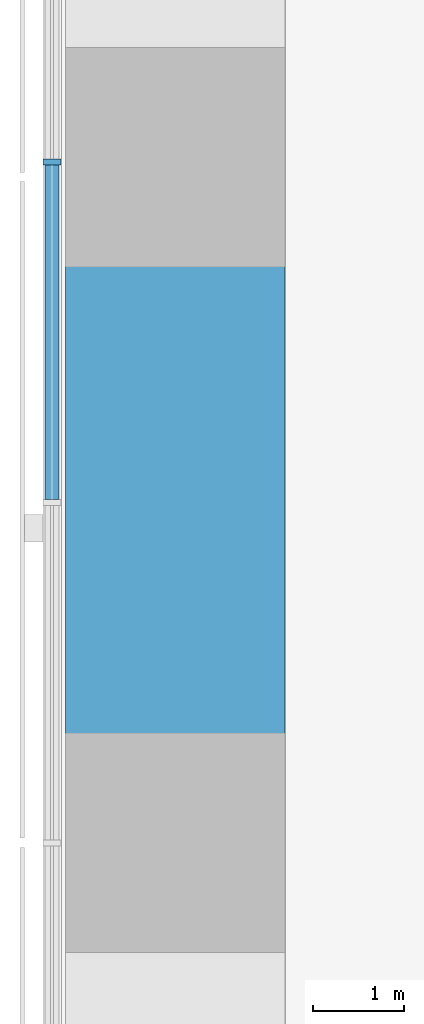
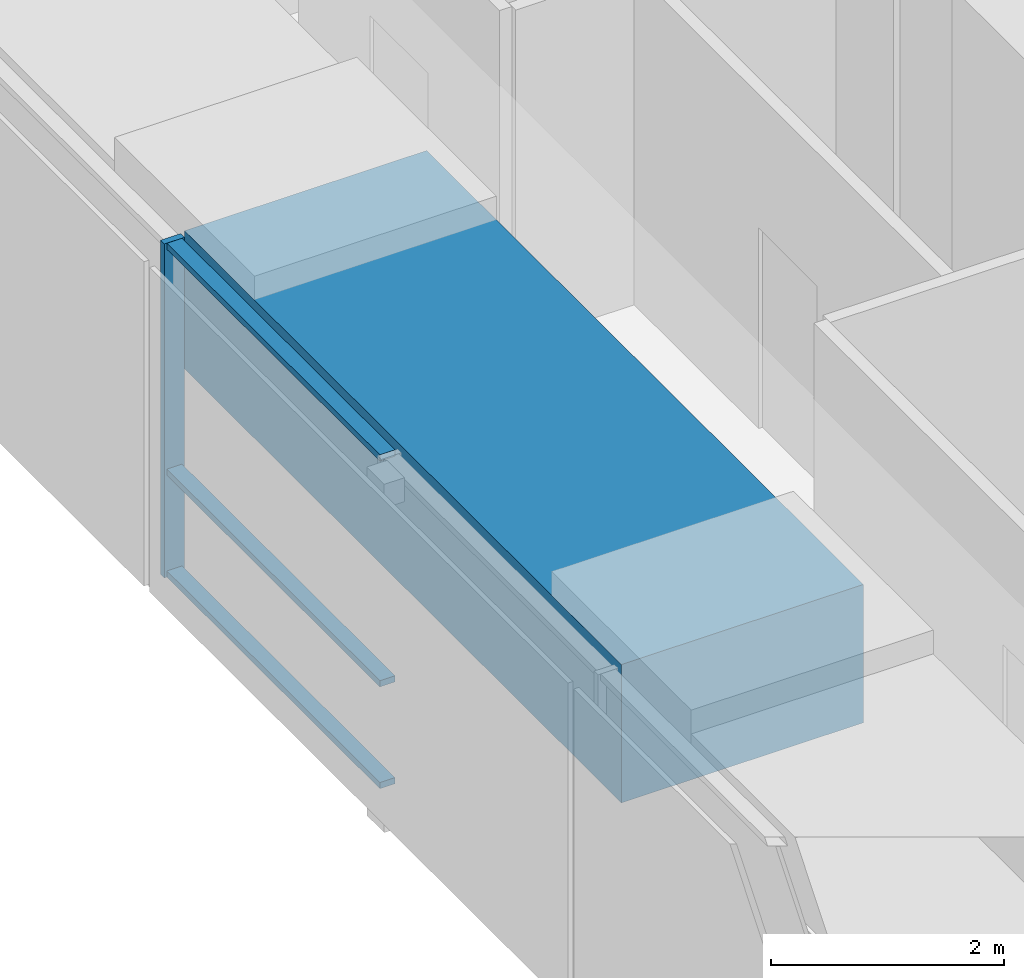
# One storey, part 3 of 19: 4 members, 1 beam, 1 element without a shape of its own.
"""IFC4 building model written with IfcOpenShell, lengths in metres."""

import ifcopenshell
import ifcopenshell.guid

model = None  # the IFC model being written
_history = None  # IfcOwnerHistory: only IFC2X3 demands one
_inside = {}  # id of a spatial element -> (the spatial element, [elements in it])
_under = {}  # id of a project, library or spatial element -> (it, [spatial elements below it])
_declared = {}  # id of a project -> (the project, [libraries it declares])
_typed = {}  # id of a type object -> (the type object, [elements of that type])
_made_of = {}  # id of a material, layer set ... -> (it, [elements and type objects made of it])


def new_model(schema):
    """Start an empty IFC model of exactly this schema.

    Asked for "IFC4X3", IfcOpenShell would pick the latest addendum, in which some entities
    have other attributes; the version numbers below select the first issue.
    IFC2X3 requires an IfcOwnerHistory on every rooted entity: one is made here for all.
    """
    global model, _history
    if schema == "IFC4X3":
        model = ifcopenshell.file(schema_version=(4, 3, 0, 0))
    else:
        model = ifcopenshell.file(schema=schema)
    _inside.clear()
    _under.clear()
    _declared.clear()
    _typed.clear()
    _made_of.clear()
    _history = None
    if model.schema == "IFC2X3":
        org = make("IfcOrganization", Name="unknown")
        user = make(
            "IfcPersonAndOrganization",
            ThePerson=make("IfcPerson", FamilyName="unknown"),
            TheOrganization=org,
        )
        app = make(
            "IfcApplication",
            ApplicationDeveloper=org,
            Version="unknown",
            ApplicationFullName="unknown",
            ApplicationIdentifier="unknown",
        )
        _history = make(
            "IfcOwnerHistory",
            OwningUser=user,
            OwningApplication=app,
            ChangeAction="ADDED",
            CreationDate=0,
        )
    return model


def make(cls, **values):
    """One entity of the class cls with the attributes given. An attribute that is None is left unset."""
    return model.create_entity(
        cls, **{name: value for name, value in values.items() if value is not None}
    )


def rooted(cls, **values):
    """An entity with a GlobalId (a new one), such as an element, a storey or a relation."""
    return make(cls, GlobalId=ifcopenshell.guid.new(), OwnerHistory=_history, **values)


def si_unit(unit_type, name, prefix=None):
    """IfcSIUnit, for example si_unit("LENGTHUNIT", "METRE", prefix="MILLI")."""
    return make("IfcSIUnit", UnitType=unit_type, Prefix=prefix, Name=name)


def assignment(units):
    """IfcUnitAssignment: the units of a project."""
    return None if units is None else make("IfcUnitAssignment", Units=units)


def point(xyz):
    """IfcCartesianPoint."""
    return None if xyz is None else make("IfcCartesianPoint", Coordinates=xyz)


def direction(xyz):
    """IfcDirection."""
    return None if xyz is None else make("IfcDirection", DirectionRatios=xyz)


def frame(location, z_axis=None, x_axis=None):
    """IfcAxis2Placement3D, a coordinate frame: its origin and axes. An axis left out is left unset."""
    return make(
        "IfcAxis2Placement3D",
        Location=point(location),
        Axis=direction(z_axis),
        RefDirection=direction(x_axis),
    )


def frame_2d(location, x_axis=None):
    """IfcAxis2Placement2D, a coordinate frame in the plane: its origin and x axis."""
    return make(
        "IfcAxis2Placement2D", Location=point(location), RefDirection=direction(x_axis)
    )


def origin():
    """The frame at (0, 0, 0) with its axes left unset."""
    return frame((0.0, 0.0, 0.0))


def origin_2d():
    """The frame at (0, 0) in the plane with its x axis left unset."""
    return frame_2d((0.0, 0.0))


def place(relative_to, where):
    """IfcLocalPlacement: puts the frame where relative to a parent placement (None: the world)."""
    return make(
        "IfcLocalPlacement", PlacementRelTo=relative_to, RelativePlacement=where
    )


def context(
    kind, dimensions, precision=None, world=None, true_north=None, identifier=None
):
    """IfcGeometricRepresentationContext, for example the 3D "Model" context."""
    return make(
        "IfcGeometricRepresentationContext",
        ContextIdentifier=identifier,
        ContextType=kind,
        CoordinateSpaceDimension=dimensions,
        Precision=precision,
        WorldCoordinateSystem=world,
        TrueNorth=true_north,
    )


def subcontext(parent, identifier, kind, view, scale=None):
    """IfcGeometricRepresentationSubContext, for example "Body" below "Model"."""
    return make(
        "IfcGeometricRepresentationSubContext",
        ContextIdentifier=identifier,
        ContextType=kind,
        ParentContext=parent,
        TargetScale=scale,
        TargetView=view,
    )


def project(units=None, contexts=None):
    """IfcProject with its units and contexts."""
    return rooted(
        "IfcProject",
        Name="project",
        RepresentationContexts=contexts,
        UnitsInContext=assignment(units),
    )


def spatial(cls, under=None, at=None, **own):
    """A site, building, storey or space (cls), placed at a placement, below another one or the project."""
    s = rooted(cls, ObjectPlacement=at, **own)
    if under is not None:
        _under.setdefault(under.id(), (under, []))[1].append(s)
    return s


def profile(cls, at=None, kind="AREA", **sizes):
    """A parametric profile (cls). Its sizes go by their IFC names, for example OverallWidth=200.0."""
    return make(cls, ProfileType=kind, Position=at, **sizes)


def rectangle(**sizes):
    """IfcRectangleProfileDef."""
    return profile("IfcRectangleProfileDef", **sizes)


def extrude(swept, where, along, depth):
    """IfcExtrudedAreaSolid: the profile swept, set in the frame where, extruded along a direction by depth."""
    return make(
        "IfcExtrudedAreaSolid",
        SweptArea=swept,
        Position=where,
        ExtrudedDirection=direction(along),
        Depth=depth,
    )


def shape(context_of_items, identifier, shape_type, items):
    """IfcShapeRepresentation: the items that make up one representation, for example the "Body"."""
    return make(
        "IfcShapeRepresentation",
        ContextOfItems=context_of_items,
        RepresentationIdentifier=identifier,
        RepresentationType=shape_type,
        Items=items,
    )


def material(Name=None, Category=None):
    """IfcMaterial."""
    return make("IfcMaterial", Name=Name, Category=Category)


def material_profile(
    of_material, cross_section, Name=None, Category=None, Priority=None
):
    """IfcMaterialProfile: a cross section and its material."""
    return make(
        "IfcMaterialProfile",
        Name=Name,
        Material=of_material,
        Profile=cross_section,
        Priority=Priority,
        Category=Category,
    )


def profile_set(profiles, Name=None, composite=None):
    """IfcMaterialProfileSet."""
    return make(
        "IfcMaterialProfileSet",
        Name=Name,
        MaterialProfiles=profiles,
        CompositeProfile=composite,
    )


def made_of(thing, what):
    """Note that an element or type object is made of a material, layer set ...; save() writes the relation."""
    if what is not None:
        _made_of.setdefault(what.id(), (what, []))[1].append(thing)
    return thing


def type_object(cls, material=None, **own):
    """A type object (cls), such as IfcWallType, which elements share."""
    return made_of(rooted(cls, **own), material)


def element(
    cls,
    number,
    at=None,
    inside=None,
    cuts=None,
    type_object=None,
    material=None,
    context=None,
    identifier="Body",
    shape_type=None,
    held_by="IfcProductDefinitionShape",
    body=None,
    shapes=None,
    **own,
):
    """One element of the class cls, such as IfcWall. Its Tag is "e" and its number.

    at: its placement. inside: the storey or other place that contains it. cuts: it is an
    opening in that element (IfcRelVoidsElement). A single representation is given by context,
    identifier, shape_type and body (its items); several are given by shapes. held_by: the class
    of the entity that holds the representations. save() writes the other relations.
    """
    e = rooted(cls, Tag="e%d" % number, ObjectPlacement=at, **own)
    if body is not None:
        shapes = [shape(context, identifier, shape_type, body)]
    if shapes is not None:
        e.Representation = make(held_by, Representations=shapes)
    if inside is not None:
        _inside.setdefault(inside.id(), (inside, []))[1].append(e)
    if cuts is not None:
        rooted(
            "IfcRelVoidsElement", RelatingBuildingElement=cuts, RelatedOpeningElement=e
        )
    if type_object is not None:
        _typed.setdefault(type_object.id(), (type_object, []))[1].append(e)
    return made_of(e, material)


def aggregate(whole, parts):
    """IfcRelAggregates: a whole, such as a stair, and the parts it consists of."""
    return rooted("IfcRelAggregates", RelatingObject=whole, RelatedObjects=parts)


def save(model, path):
    """Write the relations noted so far, then the file.

    IfcRelAggregates (storeys below a building ...), IfcRelContainedInSpatialStructure (elements
    in a storey), IfcRelDefinesByType, IfcRelAssociatesMaterial and IfcRelDeclares: one each for
    every whole, place, type object, material and project.
    """
    for whole, parts in _under.values():
        aggregate(whole, parts)
    for where, things in _inside.values():
        rooted(
            "IfcRelContainedInSpatialStructure",
            RelatedElements=things,
            RelatingStructure=where,
        )
    for kind, things in _typed.values():
        rooted("IfcRelDefinesByType", RelatedObjects=things, RelatingType=kind)
    for what, things in _made_of.values():
        rooted("IfcRelAssociatesMaterial", RelatedObjects=things, RelatingMaterial=what)
    for by, libraries in _declared.values():
        rooted("IfcRelDeclares", RelatingContext=by, RelatedDefinitions=libraries)
    model.write(path)


model = new_model("IFC4")

# Units and contexts
model_context = context("Model", 3, precision=1e-05, world=origin(), true_north=direction((0.0, 1.0)))
body_context = subcontext(model_context, "Body", "Model", "MODEL_VIEW")
ifc_project = project(units=[si_unit("LENGTHUNIT", "METRE"), si_unit("AREAUNIT", "SQUARE_METRE"), si_unit("VOLUMEUNIT", "CUBIC_METRE"), si_unit("PLANEANGLEUNIT", "RADIAN"), si_unit("MASSUNIT", "GRAM", prefix="KILO")], contexts=[model_context])

# Site, building, storey
site_placement = place(None, origin())
site = spatial("IfcSite", under=ifc_project, at=site_placement, CompositionType="ELEMENT")
building_placement = place(site_placement, origin())
building = spatial("IfcBuilding", under=site, at=building_placement, Name="Sheger Commons Tower", CompositionType="ELEMENT")
storey_placement = place(building_placement, frame((0.0, 0.0, 201.199951171875)))
storey = spatial("IfcBuildingStorey", under=building, at=storey_placement, Name="L51", CompositionType="ELEMENT", Elevation=201.199951171875)

# Curtain wall, member
ifc_material_1 = material(Name="Black aluminium curtain wall, dark tinted glazing", Category="aluminium")
curtain_wall_type = type_object("IfcCurtainWallType", Name="CURTAIN WALL CW4 GALLERY", PredefinedType="USERDEFINED", material=ifc_material_1)
curtain_wall_placement = place(storey_placement, origin())
curtain_wall = element("IfcCurtainWall", 1, at=curtain_wall_placement, inside=storey, type_object=curtain_wall_type, Name="Curtain Wall Cw4 Gallery W1 L51", ObjectType="UNITISED CURTAIN WALL", PredefinedType="USERDEFINED")
ifc_material_2 = material(Name="Black anodised aluminium", Category="aluminium")
ifc_material_profile_1 = material_profile(ifc_material_2, rectangle(XDim=0.199951171875, YDim=0.06494140625, at=origin_2d()), Name="AL 65x200")
ifc_profile_set_1 = profile_set([ifc_material_profile_1], Name="Black anodised aluminium")
member_type_1 = type_object("IfcMemberType", Name="MULLION AL 65x200", PredefinedType="MULLION", material=ifc_profile_set_1)
member_1_placement = place(storey_placement, frame((6.449951171875, 29.946044921875, 0.0), z_axis=(0.0, 0.0, 1.0), x_axis=(1.0, 0.0, 0.0)))
member_1 = element("IfcMember", 2, at=member_1_placement, type_object=member_type_1, Name="CW4 mullion 9", PredefinedType="MULLION", context=body_context, shape_type="SweptSolid", body=[
    extrude(rectangle(XDim=0.199951171875, YDim=0.06494140625, at=origin_2d()), origin(), (0.0, 0.0, 1.0), 3.5),
])

# Beam
ifc_material_3 = material(Name="Concrete C50/60", Category="concrete")
ifc_material_profile_2 = material_profile(ifc_material_3, rectangle(XDim=2.39990234375, YDim=1.449951171875, at=origin_2d()), Name="RC 2400x1450")
ifc_profile_set_2 = profile_set([ifc_material_profile_2], Name="Concrete C50/60")
beam_type = type_object("IfcBeamType", Name="SPANDREL RC 2400x1450", PredefinedType="SPANDREL", material=ifc_profile_set_2)
beam_placement = place(storey_placement, frame((7.800048828125, 30.0, 2.775146484375), z_axis=(0.0, -1.0, 0.0), x_axis=(1.0, 0.0, 0.0)))
element("IfcBeam", 3, at=beam_placement, inside=storey, type_object=beam_type, Name="Beam 2/E-2/D under L52", PredefinedType="SPANDREL", context=body_context, shape_type="SweptSolid", body=[
    extrude(rectangle(XDim=2.39990234375, YDim=1.449951171875, at=origin_2d()), origin(), (0.0, 0.0, 1.0), 7.5),
])

# Member
ifc_material_4 = material(Name="Black anodised aluminium", Category="aluminium")
ifc_material_profile_3 = material_profile(ifc_material_4, rectangle(XDim=0.14990234375, YDim=0.06494140625, at=origin_2d()), Name="AL 65x150")
ifc_profile_set_3 = profile_set([ifc_material_profile_3], Name="Black anodised aluminium")
member_type_2 = type_object("IfcMemberType", Name="TRANSOM AL 65x150", PredefinedType="USERDEFINED", material=ifc_profile_set_3)
member_2_placement = place(storey_placement, frame((6.449951171875, 29.91357421875, 0.032470703125), z_axis=(0.0, -1.0, 0.0), x_axis=(1.0, 0.0, 0.0)))
member_2 = element("IfcMember", 4, at=member_2_placement, type_object=member_type_2, Name="CW4 transom 9.1", ObjectType="TRANSOM", PredefinedType="USERDEFINED", context=body_context, shape_type="SweptSolid", body=[
    extrude(rectangle(XDim=0.14990234375, YDim=0.06494140625, at=origin_2d()), origin(), (0.0, 0.0, 1.0), 3.657958984375),
])

member_3_placement = place(storey_placement, frame((6.449951171875, 29.91357421875, 1.10009765625), z_axis=(0.0, -1.0, 0.0), x_axis=(1.0, 0.0, 0.0)))
member_3 = element("IfcMember", 5, at=member_3_placement, type_object=member_type_2, Name="CW4 transom 9.2", ObjectType="TRANSOM", PredefinedType="USERDEFINED", context=body_context, shape_type="SweptSolid", body=[
    extrude(rectangle(XDim=0.14990234375, YDim=0.06494140625, at=origin_2d()), origin(), (0.0, 0.0, 1.0), 3.657958984375),
])

member_4_placement = place(storey_placement, frame((6.449951171875, 29.91357421875, 3.467529296875), z_axis=(0.0, -1.0, 0.0), x_axis=(1.0, 0.0, 0.0)))
member_4 = element("IfcMember", 6, at=member_4_placement, type_object=member_type_2, Name="CW4 transom 9.3", ObjectType="TRANSOM", PredefinedType="USERDEFINED", context=body_context, shape_type="SweptSolid", body=[
    extrude(rectangle(XDim=0.14990234375, YDim=0.06494140625, at=origin_2d()), origin(), (0.0, 0.0, 1.0), 3.657958984375),
])

aggregate(curtain_wall, [member_1, member_2, member_3, member_4])

save(model, "model.ifc")
